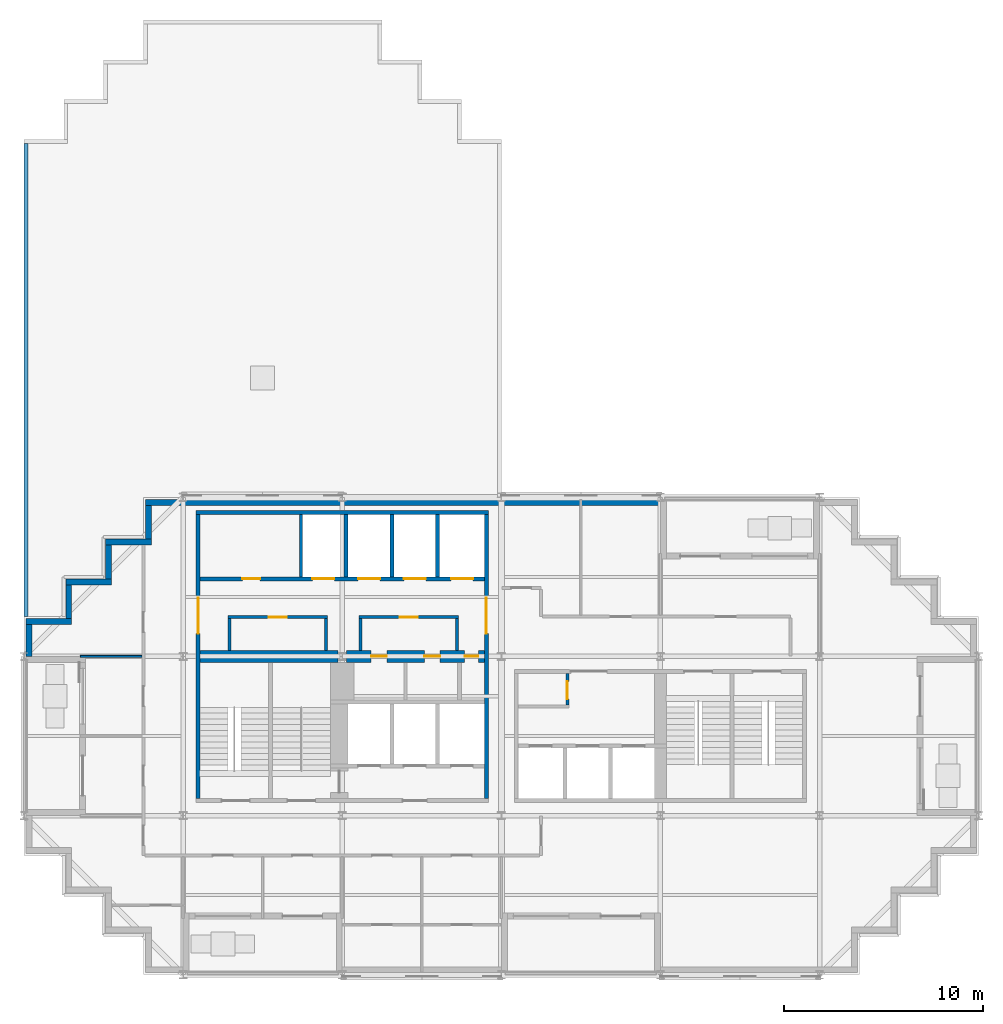
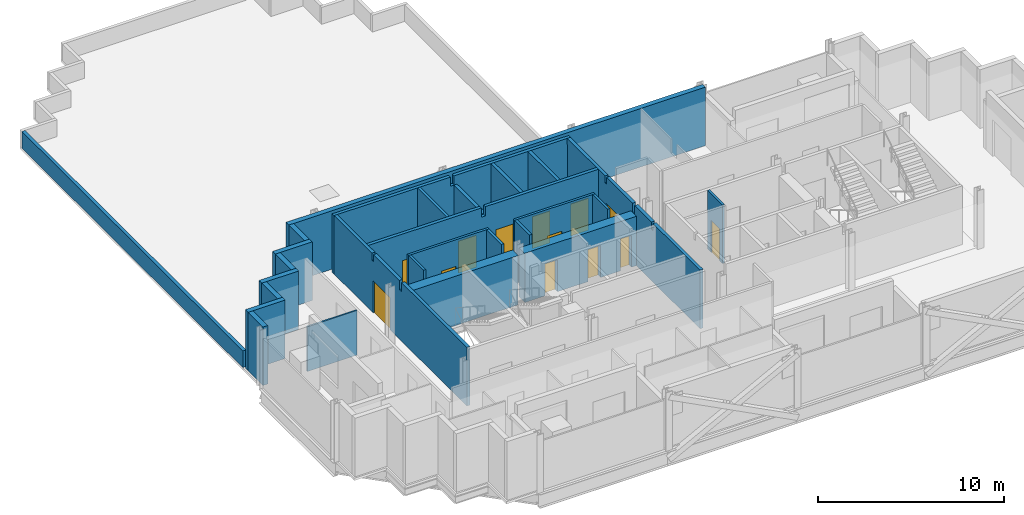
# One storey, part 4 of 9: 27 walls, 13 doors, 13 openings.
"""IFC4 building model written with IfcOpenShell, lengths in metres."""

from ifc_helpers import new_model, si_unit, direction, frame, frame_2d, origin, place, context, subcontext, project, spatial, polyline, rectangle, outline, extrude, material, layer, layer_set, type_object, element, fill, save


model = new_model("IFC4")

# Units and contexts
model_context = context("Model", 3, precision=1e-05, world=origin(), true_north=direction((0.0, 1.0)))
body_context = subcontext(model_context, "Body", "Model", "MODEL_VIEW")
ifc_project = project(units=[si_unit("LENGTHUNIT", "METRE"), si_unit("AREAUNIT", "SQUARE_METRE"), si_unit("VOLUMEUNIT", "CUBIC_METRE"), si_unit("PLANEANGLEUNIT", "RADIAN"), si_unit("MASSUNIT", "GRAM", prefix="KILO")], contexts=[model_context])

# Site, building, storey
site_placement = place(None, origin())
site = spatial("IfcSite", under=ifc_project, at=site_placement, CompositionType="ELEMENT")
building_placement = place(site_placement, origin())
building = spatial("IfcBuilding", under=site, at=building_placement, Name="Immortelle Media Tower", CompositionType="ELEMENT")
storey_placement = place(building_placement, frame((0.0, 0.0, 189.0)))
storey = spatial("IfcBuildingStorey", under=building, at=storey_placement, Name="L39", CompositionType="ELEMENT", Elevation=189.0)

# Wall, openings, doors
ifc_material_1 = material(Name="Fire-rated masonry blockwork", Category="masonry")
ifc_layer_1 = layer(ifc_material_1, 0.60009765625)
ifc_layer_set_1 = layer_set([ifc_layer_1], Name="Fire-rated masonry blockwork")
wall_type_1 = type_object("IfcWallType", Name="Core grid-line wall 600", PredefinedType="PARTITIONING", material=ifc_layer_set_1)
wall_1_placement = place(storey_placement, frame((16.20703125, 16.0, 0.0), z_axis=(0.0, 0.0, 1.0), x_axis=(1.0, 0.0, 0.0)))
wall_1 = element("IfcWall", 1, at=wall_1_placement, inside=storey, type_object=wall_type_1, Name="Core grid-line wall SW", PredefinedType="PARTITIONING", context=body_context, shape_type="SweptSolid", body=[
    extrude(rectangle(XDim=6.94287109375, YDim=0.60009765625, at=frame_2d((3.471435546875, 0.0))), origin(), (0.0, 0.0, 1.0), 3.241943359375),
])
opening_1_placement = place(wall_1_placement, frame((2.04296875, 0.0, 0.0), z_axis=(0.0, 0.0, 1.0), x_axis=(-1.0, 0.0, 0.0)))
opening_1 = element("IfcOpeningElement", 2, at=opening_1_placement, cuts=wall_1, Name="Opening O1-K010", PredefinedType="OPENING", context=body_context, shape_type="SweptSolid", body=[
    extrude(rectangle(XDim=0.800048828125, YDim=2.10009765625, at=frame_2d((0.39990234375, 1.050048828125))), frame((0.0, 0.31005859375, 0.0), z_axis=(0.0, -1.0, 0.0), x_axis=(1.0, 0.0, 0.0)), (0.0, 0.0, 1.0), 0.6201171875),
])
opening_2_placement = place(wall_1_placement, frame((4.718017578125, 0.0, 0.0), z_axis=(0.0, 0.0, 1.0), x_axis=(-1.0, 0.0, 0.0)))
opening_2 = element("IfcOpeningElement", 3, at=opening_2_placement, cuts=wall_1, Name="Opening O1-K015", PredefinedType="OPENING", context=body_context, shape_type="SweptSolid", body=[
    extrude(rectangle(XDim=0.800048828125, YDim=2.10009765625, at=frame_2d((0.39990234375, 1.050048828125))), frame((0.0, 0.31005859375, 0.0), z_axis=(0.0, -1.0, 0.0), x_axis=(1.0, 0.0, 0.0)), (0.0, 0.0, 1.0), 0.6201171875),
])
opening_3_placement = place(wall_1_placement, frame((6.64306640625, 0.0, 0.0), z_axis=(0.0, 0.0, 1.0), x_axis=(-1.0, 0.0, 0.0)))
opening_3 = element("IfcOpeningElement", 4, at=opening_3_placement, cuts=wall_1, Name="Opening O1-K018", PredefinedType="OPENING", context=body_context, shape_type="SweptSolid", body=[
    extrude(rectangle(XDim=0.699951171875, YDim=2.10009765625, at=frame_2d((0.35009765625, 1.050048828125))), frame((0.0, 0.31005859375, 0.0), z_axis=(0.0, -1.0, 0.0), x_axis=(1.0, 0.0, 0.0)), (0.0, 0.0, 1.0), 0.6201171875),
])
ifc_material_2 = material(Name="Galvanised steel door leaf and frame ASTM A653", Category="steel")
door_type_1 = type_object("IfcDoorType", Name="Service door 700 x 2100", OperationType="NOTDEFINED", PredefinedType="NOTDEFINED", material=ifc_material_2)
door_1_placement = place(opening_3_placement, origin())
door_1 = element("IfcDoor", 5, at=door_1_placement, inside=storey, type_object=door_type_1, Name="Service O1-K018", OperationType="SINGLE_SWING_RIGHT", OverallHeight=2.10009765625, OverallWidth=0.699951171875, PredefinedType="NOTDEFINED", context=body_context, shape_type="SweptSolid", body=[
    extrude(rectangle(XDim=0.699951171875, YDim=2.10009765625, at=frame_2d((0.35009765625, 1.050048828125))), frame((0.0, 0.02490234375, 0.0), z_axis=(0.0, -1.0, 0.0), x_axis=(1.0, 0.0, 0.0)), (0.0, 0.0, 1.0), 0.050048828125),
])
fill(opening_3, door_1)
ifc_material_3 = material(Name="Timber", Category="wood")
door_type_2 = type_object("IfcDoorType", Name="Toilet door 800 x 2100", OperationType="NOTDEFINED", PredefinedType="NOTDEFINED", material=ifc_material_3)
door_2_placement = place(opening_1_placement, origin())
door_2 = element("IfcDoor", 6, at=door_2_placement, inside=storey, type_object=door_type_2, Name="Toilet O1-K010", OperationType="SINGLE_SWING_LEFT", OverallHeight=2.10009765625, OverallWidth=0.800048828125, PredefinedType="NOTDEFINED", context=body_context, shape_type="SweptSolid", body=[
    extrude(rectangle(XDim=0.800048828125, YDim=2.10009765625, at=frame_2d((0.39990234375, 1.050048828125))), frame((0.0, 0.02490234375, 0.0), z_axis=(0.0, -1.0, 0.0), x_axis=(1.0, 0.0, 0.0)), (0.0, 0.0, 1.0), 0.050048828125),
])
fill(opening_1, door_2)
door_3_placement = place(opening_2_placement, origin())
door_3 = element("IfcDoor", 7, at=door_3_placement, inside=storey, type_object=door_type_2, Name="Toilet O1-K015", OperationType="SINGLE_SWING_RIGHT", OverallHeight=2.10009765625, OverallWidth=0.800048828125, PredefinedType="NOTDEFINED", context=body_context, shape_type="SweptSolid", body=[
    extrude(rectangle(XDim=0.800048828125, YDim=2.10009765625, at=frame_2d((0.39990234375, 1.050048828125))), frame((0.0, 0.02490234375, 0.0), z_axis=(0.0, -1.0, 0.0), x_axis=(1.0, 0.0, 0.0)), (0.0, 0.0, 1.0), 0.050048828125),
])
fill(opening_2, door_3)

# Wall
ifc_material_4 = material(Name="Fire-rated gypsum board", Category="gypsum")
ifc_layer_2 = layer(ifc_material_4, 0.02490234375)
ifc_material_5 = material(Name="Steel ASTM A653 SS Gr 50 stud frame with mineral wool", Category="steel")
ifc_layer_3 = layer(ifc_material_5, 0.10009765625)
ifc_layer_4 = layer(ifc_material_4, 0.02490234375)
ifc_layer_set_2 = layer_set([ifc_layer_2, ifc_layer_3, ifc_layer_4], Name="Steel ASTM A653 SS Gr 50 stud frame with mineral wool")
wall_type_2 = type_object("IfcWallType", Name="Core partition 150", PredefinedType="PARTITIONING", material=ifc_layer_set_2)
wall_2_placement = place(storey_placement, frame((10.324951171875, 16.300048828125, 0.0), z_axis=(0.0, 0.0, 1.0), x_axis=(0.0, 1.0, 0.0)))
element("IfcWall", 8, at=wall_2_placement, inside=storey, type_object=wall_type_2, Name="Core partition SW", PredefinedType="PARTITIONING", context=body_context, shape_type="SweptSolid", body=[
    extrude(rectangle(XDim=1.599853515625, YDim=0.14990234375, at=frame_2d((0.7998046875, 0.0))), origin(), (0.0, 0.0, 1.0), 3.85009765625),
])

# Wall, opening, door
wall_3_placement = place(storey_placement, frame((10.25, 17.97509765625, 0.0), z_axis=(0.0, 0.0, 1.0), x_axis=(1.0, 0.0, 0.0)))
wall_3 = element("IfcWall", 9, at=wall_3_placement, inside=storey, type_object=wall_type_2, Name="Core partition SW", PredefinedType="PARTITIONING", context=body_context, shape_type="SweptSolid", body=[
    extrude(rectangle(XDim=5.0, YDim=0.14990234375, at=frame_2d((2.5, 0.0))), origin(), (0.0, 0.0, 1.0), 3.85009765625),
])
opening_4_placement = place(wall_3_placement, frame((2.949951171875, 0.0, 0.0), z_axis=(0.0, 0.0, 1.0), x_axis=(-1.0, 0.0, 0.0)))
opening_4 = element("IfcOpeningElement", 10, at=opening_4_placement, cuts=wall_3, Name="Opening O1-K004", PredefinedType="OPENING", context=body_context, shape_type="SweptSolid", body=[
    extrude(rectangle(XDim=0.89990234375, YDim=2.10009765625, at=frame_2d((0.449951171875, 1.050048828125))), frame((0.0, 0.0849609375, 0.0), z_axis=(0.0, -1.0, 0.0), x_axis=(1.0, 0.0, 0.0)), (0.0, 0.0, 1.0), 0.169921875),
])
door_type_3 = type_object("IfcDoorType", Name="Room door 900 x 2100", OperationType="NOTDEFINED", PredefinedType="NOTDEFINED", material=ifc_material_3)
door_4_placement = place(opening_4_placement, origin())
door_4 = element("IfcDoor", 11, at=door_4_placement, inside=storey, type_object=door_type_3, Name="Room O1-K004", OperationType="SINGLE_SWING_LEFT", OverallHeight=2.10009765625, OverallWidth=0.89990234375, PredefinedType="NOTDEFINED", context=body_context, shape_type="SweptSolid", body=[
    extrude(rectangle(XDim=0.89990234375, YDim=2.10009765625, at=frame_2d((0.449951171875, 1.050048828125))), frame((0.0, 0.02490234375, 0.0), z_axis=(0.0, -1.0, 0.0), x_axis=(1.0, 0.0, 0.0)), (0.0, 0.0, 1.0), 0.050048828125),
])
fill(opening_4, door_4)

# Walls
wall_4_placement = place(storey_placement, frame((13.925048828125, 20.0, 0.0), z_axis=(0.0, 0.0, 1.0), x_axis=(0.0, 1.0, 0.0)))
element("IfcWall", 12, at=wall_4_placement, inside=storey, type_object=wall_type_2, Name="Core partition SW", PredefinedType="PARTITIONING", context=body_context, shape_type="SweptSolid", body=[
    extrude(rectangle(XDim=3.14990234375, YDim=0.14990234375, at=frame_2d((1.574951171875, 0.0))), origin(), (0.0, 0.0, 1.0), 3.85009765625),
])
for number, where, z_axis, x_axis, name in (
    (13, (15.175048828125, 16.300048828125, 0.0), (0.0, 0.0, 1.0), (0.0, 1.0, 0.0), "Core partition SW"),
    (14, (16.925048828125, 16.300048828125, 0.0), (0.0, 0.0, 1.0), (0.0, 1.0, 0.0), "Core partition SW"),
):
    element("IfcWall", number, at=place(storey_placement, frame(where, z_axis=z_axis, x_axis=x_axis)), inside=storey, type_object=wall_type_2, Name=name, PredefinedType="PARTITIONING", context=body_context, shape_type="SweptSolid", body=[
        extrude(rectangle(XDim=1.599853515625, YDim=0.14990234375, at=frame_2d((0.7998046875, 0.0))), origin(), (0.0, 0.0, 1.0), 3.85009765625),
    ])

# Wall, opening, door
wall_5_placement = place(storey_placement, frame((16.85009765625, 17.97509765625, 0.0), z_axis=(0.0, 0.0, 1.0), x_axis=(1.0, 0.0, 0.0)))
wall_5 = element("IfcWall", 15, at=wall_5_placement, inside=storey, type_object=wall_type_2, Name="Core partition SW", PredefinedType="PARTITIONING", context=body_context, shape_type="SweptSolid", body=[
    extrude(rectangle(XDim=5.0, YDim=0.14990234375, at=frame_2d((2.5, 0.0))), origin(), (0.0, 0.0, 1.0), 3.85009765625),
])
opening_5_placement = place(wall_5_placement, frame((2.949951171875, 0.0, 0.0), z_axis=(0.0, 0.0, 1.0), x_axis=(-1.0, 0.0, 0.0)))
opening_5 = element("IfcOpeningElement", 16, at=opening_5_placement, cuts=wall_5, Name="Opening O1-K011", PredefinedType="OPENING", context=body_context, shape_type="SweptSolid", body=[
    extrude(rectangle(XDim=0.89990234375, YDim=2.10009765625, at=frame_2d((0.449951171875, 1.050048828125))), frame((0.0, 0.0849609375, 0.0), z_axis=(0.0, -1.0, 0.0), x_axis=(1.0, 0.0, 0.0)), (0.0, 0.0, 1.0), 0.169921875),
])
door_5_placement = place(opening_5_placement, origin())
door_5 = element("IfcDoor", 17, at=door_5_placement, inside=storey, type_object=door_type_3, Name="Room O1-K011", OperationType="SINGLE_SWING_LEFT", OverallHeight=2.10009765625, OverallWidth=0.89990234375, PredefinedType="NOTDEFINED", context=body_context, shape_type="SweptSolid", body=[
    extrude(rectangle(XDim=0.89990234375, YDim=2.10009765625, at=frame_2d((0.449951171875, 1.050048828125))), frame((0.0, 0.02490234375, 0.0), z_axis=(0.0, -1.0, 0.0), x_axis=(1.0, 0.0, 0.0)), (0.0, 0.0, 1.0), 0.050048828125),
])
fill(opening_5, door_5)

# Wall
wall_6_placement = place(storey_placement, frame((21.77490234375, 16.300048828125, 0.0), z_axis=(0.0, 0.0, 1.0), x_axis=(0.0, 1.0, 0.0)))
element("IfcWall", 18, at=wall_6_placement, inside=storey, type_object=wall_type_2, Name="Core partition SW", PredefinedType="PARTITIONING", context=body_context, shape_type="SweptSolid", body=[
    extrude(rectangle(XDim=1.599853515625, YDim=0.14990234375, at=frame_2d((0.7998046875, 0.0))), origin(), (0.0, 0.0, 1.0), 3.85009765625),
])

# Wall, opening, door
wall_7_placement = place(storey_placement, frame((27.324951171875, 13.550048828125, 0.0), z_axis=(0.0, 0.0, 1.0), x_axis=(0.0, 1.0, 0.0)))
wall_7 = element("IfcWall", 19, at=wall_7_placement, inside=storey, type_object=wall_type_2, Name="Core partition SE", PredefinedType="PARTITIONING", context=body_context, shape_type="SweptSolid", body=[
    extrude(rectangle(XDim=1.599853515625, YDim=0.14990234375, at=frame_2d((0.7998046875, 0.0))), origin(), (0.0, 0.0, 1.0), 3.85009765625),
])
opening_6_placement = place(wall_7_placement, frame((0.300048828125, 0.0, 0.0)))
opening_6 = element("IfcOpeningElement", 20, at=opening_6_placement, cuts=wall_7, Name="Opening O1-K021", PredefinedType="OPENING", context=body_context, shape_type="SweptSolid", body=[
    extrude(rectangle(XDim=0.89990234375, YDim=2.10009765625, at=frame_2d((0.449951171875, 1.050048828125))), frame((0.0, 0.0849609375, 0.0), z_axis=(0.0, -1.0, 0.0), x_axis=(1.0, 0.0, 0.0)), (0.0, 0.0, 1.0), 0.169921875),
])
door_type_4 = type_object("IfcDoorType", Name="Service door 900 x 2100", OperationType="NOTDEFINED", PredefinedType="NOTDEFINED", material=ifc_material_2)
door_6_placement = place(opening_6_placement, origin())
door_6 = element("IfcDoor", 21, at=door_6_placement, inside=storey, type_object=door_type_4, Name="Service O1-K021", OperationType="SINGLE_SWING_LEFT", OverallHeight=2.10009765625, OverallWidth=0.89990234375, PredefinedType="NOTDEFINED", context=body_context, shape_type="SweptSolid", body=[
    extrude(rectangle(XDim=0.89990234375, YDim=2.10009765625, at=frame_2d((0.449951171875, 1.050048828125))), frame((0.0, 0.02490234375, 0.0), z_axis=(0.0, -1.0, 0.0), x_axis=(1.0, 0.0, 0.0)), (0.0, 0.0, 1.0), 0.050048828125),
])
fill(opening_6, door_6)

# Wall
ifc_layer_5 = layer(ifc_material_4, 0.03759765625)
ifc_layer_6 = layer(ifc_material_5, 0.125)
ifc_layer_7 = layer(ifc_material_4, 0.03759765625)
ifc_layer_set_3 = layer_set([ifc_layer_5, ifc_layer_6, ifc_layer_7], Name="Steel ASTM A653 SS Gr 50 stud frame with mineral wool")
wall_type_3 = type_object("IfcWallType", Name="Core shaft wall 200", PredefinedType="PARTITIONING", material=ifc_layer_set_3)
wall_8_placement = place(storey_placement, frame((8.64990234375, 23.25, 0.0), z_axis=(0.0, 0.0, 1.0), x_axis=(1.0, 0.0, 0.0)))
element("IfcWall", 22, at=wall_8_placement, inside=storey, type_object=wall_type_3, Name="Core shaft wall SW", PredefinedType="PARTITIONING", context=body_context, shape_type="SweptSolid", body=[
    extrude(outline(polyline([(0.0, 0.0), (14.7001953125, 0.0), (14.699951171875, 3.85009765625), (7.468994140625, 3.85009765625), (7.468017578125, 3.241943359375), (7.23193359375, 3.241943359375), (7.23095703125, 3.85009765625), (0.0, 3.85009765625), (0.0, 0.0)])), frame((0.0, 0.10009765625, 0.0), z_axis=(0.0, -1.0, 0.0), x_axis=(1.0, 0.0, 0.0)), (0.0, 0.0, 1.0), 0.199951171875),
])

# Wall, openings, doors
wall_9_placement = place(storey_placement, frame((8.85009765625, 19.89990234375, 0.0), z_axis=(0.0, 0.0, 1.0), x_axis=(1.0, 0.0, 0.0)))
wall_9 = element("IfcWall", 23, at=wall_9_placement, inside=storey, type_object=wall_type_3, Name="Core shaft wall SW", PredefinedType="PARTITIONING", context=body_context, shape_type="SweptSolid", body=[
    extrude(outline(polyline([(0.0, 0.0), (14.2998046875, 0.0), (14.300048828125, 3.85009765625), (7.26904296875, 3.85009765625), (7.26806640625, 3.241943359375), (7.031982421875, 3.241943359375), (7.031005859375, 3.85009765625), (0.0, 3.85009765625), (0.0, 0.0)])), frame((0.0, 0.10009765625, 0.0), z_axis=(0.0, -1.0, 0.0), x_axis=(1.0, 0.0, 0.0)), (0.0, 0.0, 1.0), 0.199951171875),
])
opening_7_placement = place(wall_9_placement, frame((2.125, 0.0, 0.0)))
opening_7 = element("IfcOpeningElement", 24, at=opening_7_placement, cuts=wall_9, Name="Opening O1-K003", PredefinedType="OPENING", context=body_context, shape_type="SweptSolid", body=[
    extrude(rectangle(XDim=0.89990234375, YDim=2.10009765625, at=frame_2d((0.449951171875, 1.050048828125))), frame((0.0, 0.10986328125, 0.0), z_axis=(0.0, -1.0, 0.0), x_axis=(1.0, 0.0, 0.0)), (0.0, 0.0, 1.0), 0.219970703125),
])
opening_8_placement = place(wall_9_placement, frame((5.64990234375, 0.0, 0.0)))
opening_8 = element("IfcOpeningElement", 25, at=opening_8_placement, cuts=wall_9, Name="Opening LD", PredefinedType="OPENING", context=body_context, shape_type="SweptSolid", body=[
    extrude(rectangle(XDim=1.10009765625, YDim=2.10009765625, at=frame_2d((0.550048828125, 1.050048828125))), frame((0.0, 0.10986328125, 0.0), z_axis=(0.0, -1.0, 0.0), x_axis=(1.0, 0.0, 0.0)), (0.0, 0.0, 1.0), 0.219970703125),
])
opening_9_placement = place(wall_9_placement, frame((7.949951171875, 0.0, 0.0)))
opening_9 = element("IfcOpeningElement", 26, at=opening_9_placement, cuts=wall_9, Name="Opening LD", PredefinedType="OPENING", context=body_context, shape_type="SweptSolid", body=[
    extrude(rectangle(XDim=1.10009765625, YDim=2.10009765625, at=frame_2d((0.550048828125, 1.050048828125))), frame((0.0, 0.10986328125, 0.0), z_axis=(0.0, -1.0, 0.0), x_axis=(1.0, 0.0, 0.0)), (0.0, 0.0, 1.0), 0.219970703125),
])
opening_10_placement = place(wall_9_placement, frame((10.25, 0.0, 0.0)))
opening_10 = element("IfcOpeningElement", 27, at=opening_10_placement, cuts=wall_9, Name="Opening LD", PredefinedType="OPENING", context=body_context, shape_type="SweptSolid", body=[
    extrude(rectangle(XDim=1.10009765625, YDim=2.10009765625, at=frame_2d((0.550048828125, 1.050048828125))), frame((0.0, 0.10986328125, 0.0), z_axis=(0.0, -1.0, 0.0), x_axis=(1.0, 0.0, 0.0)), (0.0, 0.0, 1.0), 0.219970703125),
])
opening_11_placement = place(wall_9_placement, frame((12.625, 0.0, 0.0)))
opening_11 = element("IfcOpeningElement", 28, at=opening_11_placement, cuts=wall_9, Name="Opening LD", PredefinedType="OPENING", context=body_context, shape_type="SweptSolid", body=[
    extrude(rectangle(XDim=1.10009765625, YDim=2.10009765625, at=frame_2d((0.550048828125, 1.050048828125))), frame((0.0, 0.10986328125, 0.0), z_axis=(0.0, -1.0, 0.0), x_axis=(1.0, 0.0, 0.0)), (0.0, 0.0, 1.0), 0.219970703125),
])
ifc_material_6 = material(Name="Stainless steel AISI 304", Category="steel")
door_type_5 = type_object("IfcDoorType", Name="Landing door 1100 x 2100", OperationType="SLIDING_TO_LEFT", PredefinedType="NOTDEFINED", material=ifc_material_6)
door_7_placement = place(opening_8_placement, origin())
door_7 = element("IfcDoor", 29, at=door_7_placement, inside=storey, type_object=door_type_5, Name="Landing door HR1 L39", OperationType="SLIDING_TO_LEFT", OverallHeight=2.10009765625, OverallWidth=1.10009765625, PredefinedType="NOTDEFINED", context=body_context, shape_type="SweptSolid", body=[
    extrude(rectangle(XDim=1.10009765625, YDim=2.10009765625, at=frame_2d((0.550048828125, 1.050048828125))), frame((0.0, 0.02490234375, 0.0), z_axis=(0.0, -1.0, 0.0), x_axis=(1.0, 0.0, 0.0)), (0.0, 0.0, 1.0), 0.050048828125),
])
fill(opening_8, door_7)
door_8_placement = place(opening_9_placement, origin())
door_8 = element("IfcDoor", 30, at=door_8_placement, inside=storey, type_object=door_type_5, Name="Landing door HR2 L39", OperationType="SLIDING_TO_LEFT", OverallHeight=2.10009765625, OverallWidth=1.10009765625, PredefinedType="NOTDEFINED", context=body_context, shape_type="SweptSolid", body=[
    extrude(rectangle(XDim=1.10009765625, YDim=2.10009765625, at=frame_2d((0.550048828125, 1.050048828125))), frame((0.0, 0.02490234375, 0.0), z_axis=(0.0, -1.0, 0.0), x_axis=(1.0, 0.0, 0.0)), (0.0, 0.0, 1.0), 0.050048828125),
])
fill(opening_9, door_8)
door_9_placement = place(opening_10_placement, origin())
door_9 = element("IfcDoor", 31, at=door_9_placement, inside=storey, type_object=door_type_5, Name="Landing door HR3 L39", OperationType="SLIDING_TO_LEFT", OverallHeight=2.10009765625, OverallWidth=1.10009765625, PredefinedType="NOTDEFINED", context=body_context, shape_type="SweptSolid", body=[
    extrude(rectangle(XDim=1.10009765625, YDim=2.10009765625, at=frame_2d((0.550048828125, 1.050048828125))), frame((0.0, 0.02490234375, 0.0), z_axis=(0.0, -1.0, 0.0), x_axis=(1.0, 0.0, 0.0)), (0.0, 0.0, 1.0), 0.050048828125),
])
fill(opening_10, door_9)
door_10_placement = place(opening_11_placement, origin())
door_10 = element("IfcDoor", 32, at=door_10_placement, inside=storey, type_object=door_type_5, Name="Landing door HR4 L39", OperationType="SLIDING_TO_LEFT", OverallHeight=2.10009765625, OverallWidth=1.10009765625, PredefinedType="NOTDEFINED", context=body_context, shape_type="SweptSolid", body=[
    extrude(rectangle(XDim=1.10009765625, YDim=2.10009765625, at=frame_2d((0.550048828125, 1.050048828125))), frame((0.0, 0.02490234375, 0.0), z_axis=(0.0, -1.0, 0.0), x_axis=(1.0, 0.0, 0.0)), (0.0, 0.0, 1.0), 0.050048828125),
])
fill(opening_11, door_10)
door_11_placement = place(opening_7_placement, origin())
door_11 = element("IfcDoor", 33, at=door_11_placement, inside=storey, type_object=door_type_3, Name="Room O1-K003", OperationType="SINGLE_SWING_RIGHT", OverallHeight=2.10009765625, OverallWidth=0.89990234375, PredefinedType="NOTDEFINED", context=body_context, shape_type="SweptSolid", body=[
    extrude(rectangle(XDim=0.89990234375, YDim=2.10009765625, at=frame_2d((0.449951171875, 1.050048828125))), frame((0.0, 0.02490234375, 0.0), z_axis=(0.0, -1.0, 0.0), x_axis=(1.0, 0.0, 0.0)), (0.0, 0.0, 1.0), 0.050048828125),
])
fill(opening_7, door_11)

# Walls
wall_10_placement = place(storey_placement, frame((16.199951171875, 20.0, 0.0), z_axis=(0.0, 0.0, 1.0), x_axis=(0.0, 1.0, 0.0)))
element("IfcWall", 34, at=wall_10_placement, inside=storey, type_object=wall_type_3, Name="Core shaft wall SW", PredefinedType="PARTITIONING", context=body_context, shape_type="SweptSolid", body=[
    extrude(rectangle(XDim=3.14990234375, YDim=0.199951171875, at=frame_2d((1.574951171875, 0.0))), origin(), (0.0, 0.0, 1.0), 3.241943359375),
])
for number, where, z_axis, x_axis, name in (
    (35, (18.5, 20.0, 0.0), (0.0, 0.0, 1.0), (0.0, 1.0, 0.0), "Core shaft wall SW"),
    (36, (20.800048828125, 20.0, 0.0), (0.0, 0.0, 1.0), (0.0, 1.0, 0.0), "Core shaft wall SW"),
):
    element("IfcWall", number, at=place(storey_placement, frame(where, z_axis=z_axis, x_axis=x_axis)), inside=storey, type_object=wall_type_3, Name=name, PredefinedType="PARTITIONING", context=body_context, shape_type="SweptSolid", body=[
        extrude(rectangle(XDim=3.14990234375, YDim=0.199951171875, at=frame_2d((1.574951171875, 0.0))), origin(), (0.0, 0.0, 1.0), 3.85009765625),
    ])

# Wall, opening, door
wall_11_placement = place(storey_placement, frame((23.25, 8.85009765625, 0.0), z_axis=(0.0, 0.0, 1.0), x_axis=(0.0, 1.0, 0.0)))
wall_11 = element("IfcWall", 37, at=wall_11_placement, inside=storey, type_object=wall_type_3, Name="Core shaft wall SW", PredefinedType="PARTITIONING", context=body_context, shape_type="SweptSolid", body=[
    extrude(outline(polyline([(0.0, 0.0), (14.2998046875, 0.0), (14.300048828125, 3.85009765625), (10.2314453125, 3.85009765625), (10.23046875, 3.388916015625), (10.069580078125, 3.388916015625), (10.068603515625, 3.85009765625), (7.26904296875, 3.85009765625), (7.26806640625, 3.241943359375), (7.031982421875, 3.241943359375), (7.031005859375, 3.85009765625), (5.2314453125, 3.85009765625), (5.23046875, 3.388916015625), (5.069580078125, 3.388916015625), (5.068603515625, 3.85009765625), (0.0, 3.85009765625), (0.0, 0.0)])), frame((0.0, 0.10009765625, 0.0), z_axis=(0.0, -1.0, 0.0), x_axis=(1.0, 0.0, 0.0)), (0.0, 0.0, 1.0), 0.199951171875),
])
opening_12_placement = place(wall_11_placement, frame((8.300048828125, 0.0, 0.0)))
opening_12 = element("IfcOpeningElement", 38, at=opening_12_placement, cuts=wall_11, Name="Opening O1-K019", PredefinedType="OPENING", context=body_context, shape_type="SweptSolid", body=[
    extrude(rectangle(XDim=1.800048828125, YDim=2.10009765625, at=frame_2d((0.89990234375, 1.050048828125))), frame((0.0, 0.10986328125, 0.0), z_axis=(0.0, -1.0, 0.0), x_axis=(1.0, 0.0, 0.0)), (0.0, 0.0, 1.0), 0.219970703125),
])
door_type_6 = type_object("IfcDoorType", Name="Lift lobby door 1800 x 2100", OperationType="DOUBLE_DOOR_SINGLE_SWING", PredefinedType="NOTDEFINED", material=ifc_material_2)
door_12_placement = place(opening_12_placement, origin())
door_12 = element("IfcDoor", 39, at=door_12_placement, inside=storey, type_object=door_type_6, Name="Lift lobby O1-K019", OperationType="DOUBLE_DOOR_SINGLE_SWING", OverallHeight=2.10009765625, OverallWidth=1.800048828125, PredefinedType="NOTDEFINED", context=body_context, shape_type="SweptSolid", body=[
    extrude(rectangle(XDim=1.800048828125, YDim=2.10009765625, at=frame_2d((0.89990234375, 1.050048828125))), frame((0.0, 0.02490234375, 0.0), z_axis=(0.0, -1.0, 0.0), x_axis=(1.0, 0.0, 0.0)), (0.0, 0.0, 1.0), 0.050048828125),
])
fill(opening_12, door_12)

# Walls
ifc_material_7 = material(Name="Pale aluminium cladding panel", Category="aluminium")
ifc_layer_8 = layer(ifc_material_7, 0.030029296875)
ifc_layer_9 = layer(ifc_material_5, 0.257568359375)
ifc_material_8 = material(Name="Moisture-resistant gypsum board", Category="gypsum")
ifc_layer_10 = layer(ifc_material_8, 0.012451171875)
ifc_layer_set_4 = layer_set([ifc_layer_8, ifc_layer_9, ifc_layer_10], Name="Steel ASTM A653 SS Gr 50 stud frame with mineral wool")
wall_type_4 = type_object("IfcWallType", Name="Facade wall 300", PredefinedType="SOLIDWALL", material=ifc_layer_set_4)
wall_12_placement = place(storey_placement, frame((32.0, 23.75, 0.0), z_axis=(0.0, 0.0, 1.0), x_axis=(-1.0, 0.0, 0.0)))
element("IfcWall", 40, at=wall_12_placement, inside=storey, type_object=wall_type_4, Name="Facade wall L39 N20", PredefinedType="SOLIDWALL", context=body_context, shape_type="SweptSolid", body=[
    extrude(rectangle(XDim=25.89990234375, YDim=0.300048828125, at=frame_2d((12.949951171875, 0.0))), origin(), (0.0, 0.0, 1.0), 3.85009765625),
])
wall_13_placement = place(storey_placement, frame((6.25, 23.60009765625, 0.0), z_axis=(0.0, 0.0, 1.0), x_axis=(0.0, -1.0, 0.0)))
element("IfcWall", 41, at=wall_13_placement, inside=storey, type_object=wall_type_4, Name="Facade wall L39 W21", PredefinedType="SOLIDWALL", context=body_context, shape_type="SweptSolid", body=[
    extrude(rectangle(XDim=1.7001953125, YDim=0.300048828125, at=frame_2d((0.85009765625, 0.0))), origin(), (0.0, 0.0, 1.0), 3.85009765625),
])
wall_14_placement = place(storey_placement, frame((6.39990234375, 21.75, 0.0), z_axis=(0.0, 0.0, 1.0), x_axis=(-1.0, 0.0, 0.0)))
element("IfcWall", 42, at=wall_14_placement, inside=storey, type_object=wall_type_4, Name="Facade wall L39 N22", PredefinedType="SOLIDWALL", context=body_context, shape_type="SweptSolid", body=[
    extrude(rectangle(XDim=2.2998046875, YDim=0.300048828125, at=frame_2d((1.14990234375, 0.0))), origin(), (0.0, 0.0, 1.0), 3.85009765625),
])
wall_15_placement = place(storey_placement, frame((4.25, 21.60009765625, 0.0), z_axis=(0.0, 0.0, 1.0), x_axis=(0.0, -1.0, 0.0)))
element("IfcWall", 43, at=wall_15_placement, inside=storey, type_object=wall_type_4, Name="Facade wall L39 W23", PredefinedType="SOLIDWALL", context=body_context, shape_type="SweptSolid", body=[
    extrude(rectangle(XDim=1.7001953125, YDim=0.300048828125, at=frame_2d((0.85009765625, 0.0))), origin(), (0.0, 0.0, 1.0), 3.85009765625),
])
wall_16_placement = place(storey_placement, frame((4.39990234375, 19.75, 0.0), z_axis=(0.0, 0.0, 1.0), x_axis=(-1.0, 0.0, 0.0)))
element("IfcWall", 44, at=wall_16_placement, inside=storey, type_object=wall_type_4, Name="Facade wall L39 N24", PredefinedType="SOLIDWALL", context=body_context, shape_type="SweptSolid", body=[
    extrude(rectangle(XDim=2.2998046875, YDim=0.300048828125, at=frame_2d((1.14990234375, 0.0))), origin(), (0.0, 0.0, 1.0), 3.85009765625),
])
wall_17_placement = place(storey_placement, frame((2.25, 19.60009765625, 0.0), z_axis=(0.0, 0.0, 1.0), x_axis=(0.0, -1.0, 0.0)))
element("IfcWall", 45, at=wall_17_placement, inside=storey, type_object=wall_type_4, Name="Facade wall L39 W25", PredefinedType="SOLIDWALL", context=body_context, shape_type="SweptSolid", body=[
    extrude(rectangle(XDim=1.7001953125, YDim=0.300048828125, at=frame_2d((0.85009765625, 0.0))), origin(), (0.0, 0.0, 1.0), 3.85009765625),
])
wall_18_placement = place(storey_placement, frame((2.39990234375, 17.75, 0.0), z_axis=(0.0, 0.0, 1.0), x_axis=(-1.0, 0.0, 0.0)))
element("IfcWall", 46, at=wall_18_placement, inside=storey, type_object=wall_type_4, Name="Facade wall L39 N26", PredefinedType="SOLIDWALL", context=body_context, shape_type="SweptSolid", body=[
    extrude(rectangle(XDim=2.2998046875, YDim=0.300048828125, at=frame_2d((1.14990234375, 0.0))), origin(), (0.0, 0.0, 1.0), 3.85009765625),
])
wall_19_placement = place(storey_placement, frame((0.25, 17.60009765625, 0.0), z_axis=(0.0, 0.0, 1.0), x_axis=(0.0, -1.0, 0.0)))
element("IfcWall", 47, at=wall_19_placement, inside=storey, type_object=wall_type_4, Name="Facade wall L39 W27", PredefinedType="SOLIDWALL", context=body_context, shape_type="SweptSolid", body=[
    extrude(rectangle(XDim=1.60009765625, YDim=0.300048828125, at=frame_2d((0.800048828125, 0.0))), origin(), (0.0, 0.0, 1.0), 3.85009765625),
])
ifc_material_9 = material(Name="Pale aluminium coping panel", Category="aluminium")
ifc_layer_11 = layer(ifc_material_9, 0.030029296875)
ifc_layer_12 = layer(ifc_material_5, 0.139892578125)
ifc_layer_13 = layer(ifc_material_9, 0.030029296875)
ifc_layer_set_5 = layer_set([ifc_layer_11, ifc_layer_12, ifc_layer_13], Name="Steel ASTM A653 SS Gr 50 stud frame with mineral wool")
wall_type_5 = type_object("IfcWallType", Name="Parapet 200", PredefinedType="PARAPET", material=ifc_layer_set_5)
wall_20_placement = place(storey_placement, frame((0.10009765625, 18.001953125, 0.0), z_axis=(0.0, 0.0, 1.0), x_axis=(0.0, 1.0, 0.0)))
element("IfcWall", 48, at=wall_20_placement, inside=storey, type_object=wall_type_5, Name="Roof parapet L39 NW", PredefinedType="PARAPET", context=body_context, shape_type="SweptSolid", body=[
    extrude(rectangle(XDim=23.798095703125, YDim=0.199951171875, at=frame_2d((11.89892578125, 0.0))), origin(), (0.0, 0.0, 1.0), 1.10009765625),
])
ifc_material_10 = material(Name="Gypsum board", Category="gypsum")
ifc_layer_14 = layer(ifc_material_10, 0.012451171875)
ifc_layer_15 = layer(ifc_material_5, 0.074951171875)
ifc_layer_16 = layer(ifc_material_10, 0.012451171875)
ifc_layer_set_6 = layer_set([ifc_layer_14, ifc_layer_15, ifc_layer_16], Name="Steel ASTM A653 SS Gr 50 stud frame with mineral wool")
wall_type_6 = type_object("IfcWallType", Name="Partition 100", PredefinedType="PARTITIONING", material=ifc_layer_set_6)
wall_21_placement = place(storey_placement, frame((2.830078125, 16.0, 0.0), z_axis=(0.0, 0.0, 1.0), x_axis=(1.0, 0.0, 0.0)))
element("IfcWall", 49, at=wall_21_placement, inside=storey, type_object=wall_type_6, Name="Partition L39-016", PredefinedType="PARTITIONING", context=body_context, shape_type="SweptSolid", body=[
    extrude(rectangle(XDim=3.094970703125, YDim=0.10009765625, at=frame_2d((1.54736328125, 0.0))), origin(), (0.0, 0.0, 1.0), 2.93603515625),
])

# Wall, opening, door
ifc_material_11 = material(Name="Concrete C60", Category="concrete")
ifc_layer_17 = layer(ifc_material_11, 0.199951171875)
ifc_layer_set_7 = layer_set([ifc_layer_17], Name="Concrete C60")
wall_type_7 = type_object("IfcWallType", Name="Stair shaft wall 200", PredefinedType="PARTITIONING", material=ifc_layer_set_7)
wall_22_placement = place(storey_placement, frame((8.75, 8.85009765625, 0.0), z_axis=(0.0, 0.0, 1.0), x_axis=(0.0, 1.0, 0.0)))
wall_22 = element("IfcWall", 50, at=wall_22_placement, inside=storey, type_object=wall_type_7, Name="Stair shaft wall SW", PredefinedType="PARTITIONING", context=body_context, shape_type="SweptSolid", body=[
    extrude(outline(polyline([(0.0, 0.0), (14.2998046875, 0.0), (14.300048828125, 3.85009765625), (10.2314453125, 3.85009765625), (10.23046875, 3.388916015625), (10.069580078125, 3.388916015625), (10.068603515625, 3.85009765625), (7.26904296875, 3.85009765625), (7.26806640625, 3.241943359375), (7.031982421875, 3.241943359375), (7.031005859375, 3.85009765625), (0.0, 3.85009765625), (0.0, 0.0)])), frame((0.0, 0.10009765625, 0.0), z_axis=(0.0, -1.0, 0.0), x_axis=(1.0, 0.0, 0.0)), (0.0, 0.0, 1.0), 0.199951171875),
])
opening_13_placement = place(wall_22_placement, frame((8.300048828125, 0.0, 0.0)))
opening_13 = element("IfcOpeningElement", 51, at=opening_13_placement, cuts=wall_22, Name="Opening O1-K001", PredefinedType="OPENING", context=body_context, shape_type="SweptSolid", body=[
    extrude(rectangle(XDim=1.800048828125, YDim=2.10009765625, at=frame_2d((0.89990234375, 1.050048828125))), frame((0.0, 0.10986328125, 0.0), z_axis=(0.0, -1.0, 0.0), x_axis=(1.0, 0.0, 0.0)), (0.0, 0.0, 1.0), 0.219970703125),
])
door_13_placement = place(opening_13_placement, origin())
door_13 = element("IfcDoor", 52, at=door_13_placement, inside=storey, type_object=door_type_6, Name="Lift lobby O1-K001", OperationType="DOUBLE_DOOR_SINGLE_SWING", OverallHeight=2.10009765625, OverallWidth=1.800048828125, PredefinedType="NOTDEFINED", context=body_context, shape_type="SweptSolid", body=[
    extrude(rectangle(XDim=1.800048828125, YDim=2.10009765625, at=frame_2d((0.89990234375, 1.050048828125))), frame((0.0, 0.02490234375, 0.0), z_axis=(0.0, -1.0, 0.0), x_axis=(1.0, 0.0, 0.0)), (0.0, 0.0, 1.0), 0.050048828125),
])
fill(opening_13, door_13)

# Wall
ifc_layer_18 = layer(ifc_material_11, 0.60009765625)
ifc_layer_set_8 = layer_set([ifc_layer_18], Name="Concrete C60")
wall_type_8 = type_object("IfcWallType", Name="Stair shaft wall 600", PredefinedType="PARTITIONING", material=ifc_layer_set_8)
wall_23_placement = place(storey_placement, frame((8.85009765625, 16.0, 0.0), z_axis=(0.0, 0.0, 1.0), x_axis=(1.0, 0.0, 0.0)))
element("IfcWall", 53, at=wall_23_placement, inside=storey, type_object=wall_type_8, Name="Stair shaft wall SW", PredefinedType="PARTITIONING", context=body_context, shape_type="SweptSolid", body=[
    extrude(rectangle(XDim=6.94287109375, YDim=0.60009765625, at=frame_2d((3.471435546875, 0.0))), origin(), (0.0, 0.0, 1.0), 3.241943359375),
])

save(model, "model.ifc")
